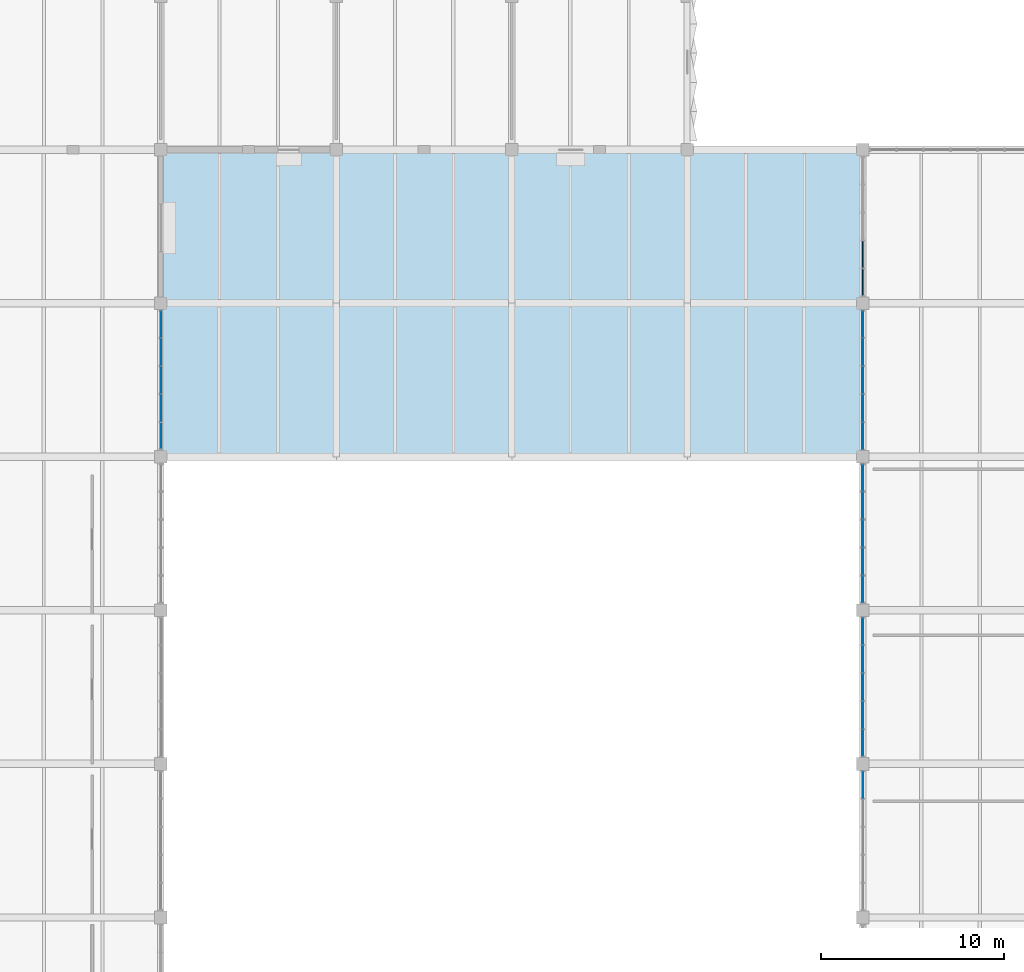
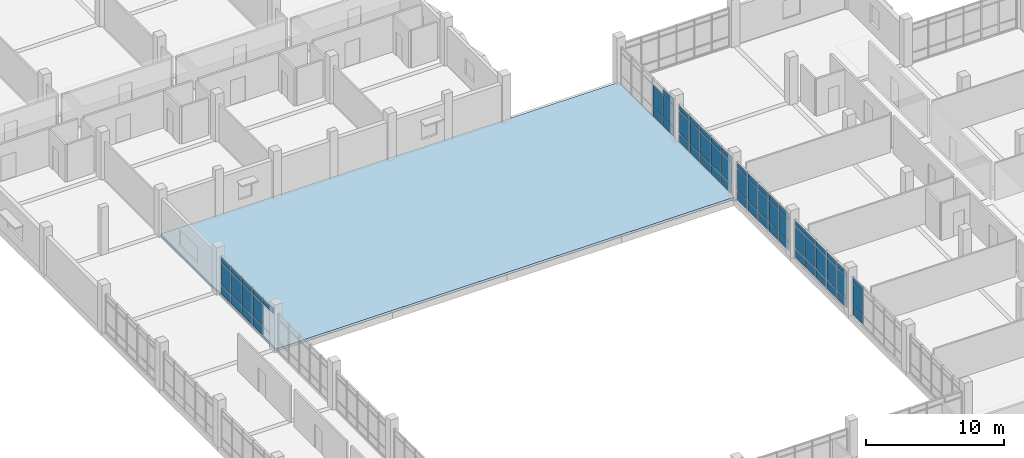
# One storey, part 29 of 57: 66 plates, 1 slab, 7 elements without a shape of their own.
"""IFC4 building model written with IfcOpenShell, lengths in metres."""

import ifcopenshell
import ifcopenshell.guid

model = None  # the IFC model being written
_history = None  # IfcOwnerHistory: only IFC2X3 demands one
_inside = {}  # id of a spatial element -> (the spatial element, [elements in it])
_under = {}  # id of a project, library or spatial element -> (it, [spatial elements below it])
_declared = {}  # id of a project -> (the project, [libraries it declares])
_typed = {}  # id of a type object -> (the type object, [elements of that type])
_made_of = {}  # id of a material, layer set ... -> (it, [elements and type objects made of it])


def new_model(schema):
    """Start an empty IFC model of exactly this schema.

    Asked for "IFC4X3", IfcOpenShell would pick the latest addendum, in which some entities
    have other attributes; the version numbers below select the first issue.
    IFC2X3 requires an IfcOwnerHistory on every rooted entity: one is made here for all.
    """
    global model, _history
    if schema == "IFC4X3":
        model = ifcopenshell.file(schema_version=(4, 3, 0, 0))
    else:
        model = ifcopenshell.file(schema=schema)
    _inside.clear()
    _under.clear()
    _declared.clear()
    _typed.clear()
    _made_of.clear()
    _history = None
    if model.schema == "IFC2X3":
        org = make("IfcOrganization", Name="unknown")
        user = make(
            "IfcPersonAndOrganization",
            ThePerson=make("IfcPerson", FamilyName="unknown"),
            TheOrganization=org,
        )
        app = make(
            "IfcApplication",
            ApplicationDeveloper=org,
            Version="unknown",
            ApplicationFullName="unknown",
            ApplicationIdentifier="unknown",
        )
        _history = make(
            "IfcOwnerHistory",
            OwningUser=user,
            OwningApplication=app,
            ChangeAction="ADDED",
            CreationDate=0,
        )
    return model


def make(cls, **values):
    """One entity of the class cls with the attributes given. An attribute that is None is left unset."""
    return model.create_entity(
        cls, **{name: value for name, value in values.items() if value is not None}
    )


def rooted(cls, **values):
    """An entity with a GlobalId (a new one), such as an element, a storey or a relation."""
    return make(cls, GlobalId=ifcopenshell.guid.new(), OwnerHistory=_history, **values)


def si_unit(unit_type, name, prefix=None):
    """IfcSIUnit, for example si_unit("LENGTHUNIT", "METRE", prefix="MILLI")."""
    return make("IfcSIUnit", UnitType=unit_type, Prefix=prefix, Name=name)


def assignment(units):
    """IfcUnitAssignment: the units of a project."""
    return None if units is None else make("IfcUnitAssignment", Units=units)


def point(xyz):
    """IfcCartesianPoint."""
    return None if xyz is None else make("IfcCartesianPoint", Coordinates=xyz)


def direction(xyz):
    """IfcDirection."""
    return None if xyz is None else make("IfcDirection", DirectionRatios=xyz)


def frame(location, z_axis=None, x_axis=None):
    """IfcAxis2Placement3D, a coordinate frame: its origin and axes. An axis left out is left unset."""
    return make(
        "IfcAxis2Placement3D",
        Location=point(location),
        Axis=direction(z_axis),
        RefDirection=direction(x_axis),
    )


def frame_2d(location, x_axis=None):
    """IfcAxis2Placement2D, a coordinate frame in the plane: its origin and x axis."""
    return make(
        "IfcAxis2Placement2D", Location=point(location), RefDirection=direction(x_axis)
    )


def origin():
    """The frame at (0, 0, 0) with its axes left unset."""
    return frame((0.0, 0.0, 0.0))


def origin_2d():
    """The frame at (0, 0) in the plane with its x axis left unset."""
    return frame_2d((0.0, 0.0))


def place(relative_to, where):
    """IfcLocalPlacement: puts the frame where relative to a parent placement (None: the world)."""
    return make(
        "IfcLocalPlacement", PlacementRelTo=relative_to, RelativePlacement=where
    )


def context(
    kind, dimensions, precision=None, world=None, true_north=None, identifier=None
):
    """IfcGeometricRepresentationContext, for example the 3D "Model" context."""
    return make(
        "IfcGeometricRepresentationContext",
        ContextIdentifier=identifier,
        ContextType=kind,
        CoordinateSpaceDimension=dimensions,
        Precision=precision,
        WorldCoordinateSystem=world,
        TrueNorth=true_north,
    )


def subcontext(parent, identifier, kind, view, scale=None):
    """IfcGeometricRepresentationSubContext, for example "Body" below "Model"."""
    return make(
        "IfcGeometricRepresentationSubContext",
        ContextIdentifier=identifier,
        ContextType=kind,
        ParentContext=parent,
        TargetScale=scale,
        TargetView=view,
    )


def project(units=None, contexts=None):
    """IfcProject with its units and contexts."""
    return rooted(
        "IfcProject",
        Name="project",
        RepresentationContexts=contexts,
        UnitsInContext=assignment(units),
    )


def spatial(cls, under=None, at=None, **own):
    """A site, building, storey or space (cls), placed at a placement, below another one or the project."""
    s = rooted(cls, ObjectPlacement=at, **own)
    if under is not None:
        _under.setdefault(under.id(), (under, []))[1].append(s)
    return s


def polyline(points):
    """IfcPolyline through the points."""
    return make("IfcPolyline", Points=[point(p) for p in points])


def profile(cls, at=None, kind="AREA", **sizes):
    """A parametric profile (cls). Its sizes go by their IFC names, for example OverallWidth=200.0."""
    return make(cls, ProfileType=kind, Position=at, **sizes)


def rectangle(**sizes):
    """IfcRectangleProfileDef."""
    return profile("IfcRectangleProfileDef", **sizes)


def outline(outer, holes=None, kind="AREA"):
    """IfcArbitraryClosedProfileDef: a profile drawn as a closed curve; with holes, ...WithVoids."""
    if holes is None:
        return make("IfcArbitraryClosedProfileDef", ProfileType=kind, OuterCurve=outer)
    return make(
        "IfcArbitraryProfileDefWithVoids",
        ProfileType=kind,
        OuterCurve=outer,
        InnerCurves=holes,
    )


def extrude(swept, where, along, depth):
    """IfcExtrudedAreaSolid: the profile swept, set in the frame where, extruded along a direction by depth."""
    return make(
        "IfcExtrudedAreaSolid",
        SweptArea=swept,
        Position=where,
        ExtrudedDirection=direction(along),
        Depth=depth,
    )


def shape(context_of_items, identifier, shape_type, items):
    """IfcShapeRepresentation: the items that make up one representation, for example the "Body"."""
    return make(
        "IfcShapeRepresentation",
        ContextOfItems=context_of_items,
        RepresentationIdentifier=identifier,
        RepresentationType=shape_type,
        Items=items,
    )


def material(Name=None, Category=None):
    """IfcMaterial."""
    return make("IfcMaterial", Name=Name, Category=Category)


def layer(
    of_material, thickness, ventilated=None, Name=None, Category=None, Priority=None
):
    """IfcMaterialLayer: one layer of a wall or slab, of a material (None: an air gap)."""
    return make(
        "IfcMaterialLayer",
        Material=of_material,
        LayerThickness=thickness,
        IsVentilated=ventilated,
        Name=Name,
        Category=Category,
        Priority=Priority,
    )


def layer_set(layers, Name=None):
    """IfcMaterialLayerSet."""
    return make("IfcMaterialLayerSet", MaterialLayers=layers, LayerSetName=Name)


def made_of(thing, what):
    """Note that an element or type object is made of a material, layer set ...; save() writes the relation."""
    if what is not None:
        _made_of.setdefault(what.id(), (what, []))[1].append(thing)
    return thing


def type_object(cls, material=None, **own):
    """A type object (cls), such as IfcWallType, which elements share."""
    return made_of(rooted(cls, **own), material)


def element(
    cls,
    number,
    at=None,
    inside=None,
    cuts=None,
    type_object=None,
    material=None,
    context=None,
    identifier="Body",
    shape_type=None,
    held_by="IfcProductDefinitionShape",
    body=None,
    shapes=None,
    **own,
):
    """One element of the class cls, such as IfcWall. Its Tag is "e" and its number.

    at: its placement. inside: the storey or other place that contains it. cuts: it is an
    opening in that element (IfcRelVoidsElement). A single representation is given by context,
    identifier, shape_type and body (its items); several are given by shapes. held_by: the class
    of the entity that holds the representations. save() writes the other relations.
    """
    e = rooted(cls, Tag="e%d" % number, ObjectPlacement=at, **own)
    if body is not None:
        shapes = [shape(context, identifier, shape_type, body)]
    if shapes is not None:
        e.Representation = make(held_by, Representations=shapes)
    if inside is not None:
        _inside.setdefault(inside.id(), (inside, []))[1].append(e)
    if cuts is not None:
        rooted(
            "IfcRelVoidsElement", RelatingBuildingElement=cuts, RelatedOpeningElement=e
        )
    if type_object is not None:
        _typed.setdefault(type_object.id(), (type_object, []))[1].append(e)
    return made_of(e, material)


def aggregate(whole, parts):
    """IfcRelAggregates: a whole, such as a stair, and the parts it consists of."""
    return rooted("IfcRelAggregates", RelatingObject=whole, RelatedObjects=parts)


def save(model, path):
    """Write the relations noted so far, then the file.

    IfcRelAggregates (storeys below a building ...), IfcRelContainedInSpatialStructure (elements
    in a storey), IfcRelDefinesByType, IfcRelAssociatesMaterial and IfcRelDeclares: one each for
    every whole, place, type object, material and project.
    """
    for whole, parts in _under.values():
        aggregate(whole, parts)
    for where, things in _inside.values():
        rooted(
            "IfcRelContainedInSpatialStructure",
            RelatedElements=things,
            RelatingStructure=where,
        )
    for kind, things in _typed.values():
        rooted("IfcRelDefinesByType", RelatedObjects=things, RelatingType=kind)
    for what, things in _made_of.values():
        rooted("IfcRelAssociatesMaterial", RelatedObjects=things, RelatingMaterial=what)
    for by, libraries in _declared.values():
        rooted("IfcRelDeclares", RelatingContext=by, RelatedDefinitions=libraries)
    model.write(path)


model = new_model("IFC4")

# Units and contexts
model_context = context("Model", 3, precision=1e-05, world=origin(), true_north=direction((0.0, 1.0)))
body_context = subcontext(model_context, "Body", "Model", "MODEL_VIEW")
ifc_project = project(units=[si_unit("LENGTHUNIT", "METRE"), si_unit("AREAUNIT", "SQUARE_METRE"), si_unit("VOLUMEUNIT", "CUBIC_METRE"), si_unit("PLANEANGLEUNIT", "RADIAN"), si_unit("MASSUNIT", "GRAM", prefix="KILO")], contexts=[model_context])

# Site, building, storey
site_placement = place(None, origin())
site = spatial("IfcSite", under=ifc_project, at=site_placement, CompositionType="ELEMENT")
building_placement = place(site_placement, origin())
building = spatial("IfcBuilding", under=site, at=building_placement, Name="Oolite Switchyard Hospital", CompositionType="ELEMENT")
storey_placement = place(building_placement, frame((0.0, 0.0, 17.800048828125)))
storey = spatial("IfcBuildingStorey", under=building, at=storey_placement, Name="L04", CompositionType="ELEMENT", Elevation=17.800048828125)

# Curtain wall, plates
ifc_material_1 = material(Name="Thermally broken aluminum frame with laminated impact glazing", Category="aluminium")
curtain_wall_type = type_object("IfcCurtainWallType", Name="CW-UNIT-84X42", PredefinedType="USERDEFINED", material=ifc_material_1)
curtain_wall_1_placement = place(storey_placement, origin())
curtain_wall_1 = element("IfcCurtainWall", 1, at=curtain_wall_1_placement, inside=storey, type_object=curtain_wall_type, Name="L04 Unitised Curtain Wall 378", ObjectType="UNITISED", PredefinedType="USERDEFINED")
ifc_material_2 = material(Name="Insulated fluoropolymer-coated aluminum spandrel panel", Category="aluminium")
ifc_layer_1 = layer(ifc_material_2, 0.070068359375)
ifc_layer_set_1 = layer_set([ifc_layer_1], Name="CW-PNL-SPN70")
plate_type_1 = type_object("IfcPlateType", Name="CW-PNL-SPN70", PredefinedType="CURTAIN_PANEL", material=ifc_layer_set_1)
plate_1_placement = place(storey_placement, frame((182.39990234375, 68.349609375, 0.06005859375), z_axis=(0.0, 0.0, 1.0), x_axis=(0.0, 1.0, 0.0)))
plate_1 = element("IfcPlate", 2, at=plate_1_placement, type_object=plate_type_1, Name="CW-10 panel 1.1", PredefinedType="CURTAIN_PANEL", context=body_context, shape_type="SweptSolid", body=[
    extrude(rectangle(XDim=1.428955078125, YDim=0.070068359375, at=origin_2d()), origin(), (0.0, 0.0, 1.0), 0.760009765625),
])
plate_2_placement = place(storey_placement, frame((182.39990234375, 68.349609375, 0.8798828125), z_axis=(0.0, 0.0, 1.0), x_axis=(0.0, 1.0, 0.0)))
plate_2 = element("IfcPlate", 3, at=plate_2_placement, type_object=plate_type_1, Name="CW-10 panel 1.2", PredefinedType="CURTAIN_PANEL", context=body_context, shape_type="SweptSolid", body=[
    extrude(rectangle(XDim=1.428955078125, YDim=0.070068359375, at=origin_2d()), origin(), (0.0, 0.0, 1.0), 1.929931640625),
])
plate_3_placement = place(storey_placement, frame((182.39990234375, 68.349609375, 2.869873046875), z_axis=(0.0, 0.0, 1.0), x_axis=(0.0, 1.0, 0.0)))
plate_3 = element("IfcPlate", 4, at=plate_3_placement, type_object=plate_type_1, Name="CW-10 panel 1.3", PredefinedType="CURTAIN_PANEL", context=body_context, shape_type="SweptSolid", body=[
    extrude(rectangle(XDim=1.428955078125, YDim=0.070068359375, at=origin_2d()), origin(), (0.0, 0.0, 1.0), 0.4599609375),
])
plate_4_placement = place(storey_placement, frame((182.39990234375, 69.865966796875, 0.06005859375), z_axis=(0.0, 0.0, 1.0), x_axis=(0.0, 1.0, 0.0)))
plate_4 = element("IfcPlate", 5, at=plate_4_placement, type_object=plate_type_1, Name="CW-10 panel 2.1", PredefinedType="CURTAIN_PANEL", context=body_context, shape_type="SweptSolid", body=[
    extrude(rectangle(XDim=1.464111328125, YDim=0.070068359375, at=origin_2d()), origin(), (0.0, 0.0, 1.0), 0.760009765625),
])
plate_5_placement = place(storey_placement, frame((182.39990234375, 69.865966796875, 0.8798828125), z_axis=(0.0, 0.0, 1.0), x_axis=(0.0, 1.0, 0.0)))
plate_5 = element("IfcPlate", 6, at=plate_5_placement, type_object=plate_type_1, Name="CW-10 panel 2.2", PredefinedType="CURTAIN_PANEL", context=body_context, shape_type="SweptSolid", body=[
    extrude(rectangle(XDim=1.464111328125, YDim=0.070068359375, at=origin_2d()), origin(), (0.0, 0.0, 1.0), 1.929931640625),
])
aggregate(curtain_wall_1, [plate_1, plate_2, plate_3, plate_4, plate_5])

curtain_wall_2_placement = place(storey_placement, origin())
curtain_wall_2 = element("IfcCurtainWall", 7, at=curtain_wall_2_placement, inside=storey, type_object=curtain_wall_type, Name="L04 Unitised Curtain Wall 369", ObjectType="UNITISED", PredefinedType="USERDEFINED")
ifc_material_3 = material(Name="Laminated hurricane-impact insulated glazing unit", Category="glass")
ifc_layer_2 = layer(ifc_material_3, 0.028076171875)
ifc_layer_set_2 = layer_set([ifc_layer_2], Name="CW-PNL-VIS28")
plate_type_2 = type_object("IfcPlateType", Name="CW-PNL-VIS28", PredefinedType="CURTAIN_PANEL", material=ifc_layer_set_2)
plate_6_placement = place(storey_placement, frame((144.0, 66.050537109375, 0.07470703125), z_axis=(0.0, 0.0, 1.0), x_axis=(0.0, -1.0, 0.0)))
plate_6 = element("IfcPlate", 8, at=plate_6_placement, type_object=plate_type_2, Name="CW-10 panel 1.1", PredefinedType="CURTAIN_PANEL", context=body_context, shape_type="SweptSolid", body=[
    extrude(rectangle(XDim=1.428955078125, YDim=0.028076171875, at=origin_2d()), origin(), (0.0, 0.0, 1.0), 0.737548828125),
])
plate_7_placement = place(storey_placement, frame((144.0, 66.050537109375, 0.887451171875), z_axis=(0.0, 0.0, 1.0), x_axis=(0.0, -1.0, 0.0)))
plate_7 = element("IfcPlate", 9, at=plate_7_placement, type_object=plate_type_2, Name="CW-10 panel 1.2", PredefinedType="CURTAIN_PANEL", context=body_context, shape_type="SweptSolid", body=[
    extrude(rectangle(XDim=1.428955078125, YDim=0.028076171875, at=origin_2d()), origin(), (0.0, 0.0, 1.0), 1.9150390625),
])
plate_8_placement = place(storey_placement, frame((144.0, 66.050537109375, 2.87744140625), z_axis=(0.0, 0.0, 1.0), x_axis=(0.0, -1.0, 0.0)))
plate_8 = element("IfcPlate", 10, at=plate_8_placement, type_object=plate_type_2, Name="CW-10 panel 1.3", PredefinedType="CURTAIN_PANEL", context=body_context, shape_type="SweptSolid", body=[
    extrude(rectangle(XDim=1.428955078125, YDim=0.028076171875, at=origin_2d()), origin(), (0.0, 0.0, 1.0), 0.4375),
])
plate_9_placement = place(storey_placement, frame((144.0, 64.533935546875, 0.07470703125), z_axis=(0.0, 0.0, 1.0), x_axis=(0.0, -1.0, 0.0)))
plate_9 = element("IfcPlate", 11, at=plate_9_placement, type_object=plate_type_2, Name="CW-10 panel 2.1", PredefinedType="CURTAIN_PANEL", context=body_context, shape_type="SweptSolid", body=[
    extrude(rectangle(XDim=1.464111328125, YDim=0.028076171875, at=origin_2d()), origin(), (0.0, 0.0, 1.0), 0.737548828125),
])
plate_10_placement = place(storey_placement, frame((144.0, 64.533935546875, 0.887451171875), z_axis=(0.0, 0.0, 1.0), x_axis=(0.0, -1.0, 0.0)))
plate_10 = element("IfcPlate", 12, at=plate_10_placement, type_object=plate_type_2, Name="CW-10 panel 2.2", PredefinedType="CURTAIN_PANEL", context=body_context, shape_type="SweptSolid", body=[
    extrude(rectangle(XDim=1.464111328125, YDim=0.028076171875, at=origin_2d()), origin(), (0.0, 0.0, 1.0), 1.9150390625),
])
plate_11_placement = place(storey_placement, frame((144.0, 64.533935546875, 2.87744140625), z_axis=(0.0, 0.0, 1.0), x_axis=(0.0, -1.0, 0.0)))
plate_11 = element("IfcPlate", 13, at=plate_11_placement, type_object=plate_type_2, Name="CW-10 panel 2.3", PredefinedType="CURTAIN_PANEL", context=body_context, shape_type="SweptSolid", body=[
    extrude(rectangle(XDim=1.464111328125, YDim=0.028076171875, at=origin_2d()), origin(), (0.0, 0.0, 1.0), 0.4375),
])
plate_12_placement = place(storey_placement, frame((144.0, 63.0, 0.07470703125), z_axis=(0.0, 0.0, 1.0), x_axis=(0.0, -1.0, 0.0)))
plate_12 = element("IfcPlate", 14, at=plate_12_placement, type_object=plate_type_2, Name="CW-10 panel 3.1", PredefinedType="CURTAIN_PANEL", context=body_context, shape_type="SweptSolid", body=[
    extrude(rectangle(XDim=1.464111328125, YDim=0.028076171875, at=origin_2d()), origin(), (0.0, 0.0, 1.0), 0.737548828125),
])
plate_13_placement = place(storey_placement, frame((144.0, 63.0, 0.887451171875), z_axis=(0.0, 0.0, 1.0), x_axis=(0.0, -1.0, 0.0)))
plate_13 = element("IfcPlate", 15, at=plate_13_placement, type_object=plate_type_2, Name="CW-10 panel 3.2", PredefinedType="CURTAIN_PANEL", context=body_context, shape_type="SweptSolid", body=[
    extrude(rectangle(XDim=1.464111328125, YDim=0.028076171875, at=origin_2d()), origin(), (0.0, 0.0, 1.0), 1.9150390625),
])
plate_14_placement = place(storey_placement, frame((144.0, 63.0, 2.87744140625), z_axis=(0.0, 0.0, 1.0), x_axis=(0.0, -1.0, 0.0)))
plate_14 = element("IfcPlate", 16, at=plate_14_placement, type_object=plate_type_2, Name="CW-10 panel 3.3", PredefinedType="CURTAIN_PANEL", context=body_context, shape_type="SweptSolid", body=[
    extrude(rectangle(XDim=1.464111328125, YDim=0.028076171875, at=origin_2d()), origin(), (0.0, 0.0, 1.0), 0.4375),
])
plate_15_placement = place(storey_placement, frame((144.0, 61.466064453125, 0.07470703125), z_axis=(0.0, 0.0, 1.0), x_axis=(0.0, -1.0, 0.0)))
plate_15 = element("IfcPlate", 17, at=plate_15_placement, type_object=plate_type_2, Name="CW-10 panel 4.1", PredefinedType="CURTAIN_PANEL", context=body_context, shape_type="SweptSolid", body=[
    extrude(rectangle(XDim=1.464111328125, YDim=0.028076171875, at=origin_2d()), origin(), (0.0, 0.0, 1.0), 0.737548828125),
])
plate_16_placement = place(storey_placement, frame((144.0, 61.466064453125, 0.887451171875), z_axis=(0.0, 0.0, 1.0), x_axis=(0.0, -1.0, 0.0)))
plate_16 = element("IfcPlate", 18, at=plate_16_placement, type_object=plate_type_2, Name="CW-10 panel 4.2", PredefinedType="CURTAIN_PANEL", context=body_context, shape_type="SweptSolid", body=[
    extrude(rectangle(XDim=1.464111328125, YDim=0.028076171875, at=origin_2d()), origin(), (0.0, 0.0, 1.0), 1.9150390625),
])
plate_17_placement = place(storey_placement, frame((144.0, 61.466064453125, 2.87744140625), z_axis=(0.0, 0.0, 1.0), x_axis=(0.0, -1.0, 0.0)))
plate_17 = element("IfcPlate", 19, at=plate_17_placement, type_object=plate_type_2, Name="CW-10 panel 4.3", PredefinedType="CURTAIN_PANEL", context=body_context, shape_type="SweptSolid", body=[
    extrude(rectangle(XDim=1.464111328125, YDim=0.028076171875, at=origin_2d()), origin(), (0.0, 0.0, 1.0), 0.4375),
])
plate_18_placement = place(storey_placement, frame((144.0, 59.949462890625, 2.87744140625), z_axis=(0.0, 0.0, 1.0), x_axis=(0.0, -1.0, 0.0)))
plate_18 = element("IfcPlate", 20, at=plate_18_placement, type_object=plate_type_2, Name="CW-10 panel 5.3", PredefinedType="CURTAIN_PANEL", context=body_context, shape_type="SweptSolid", body=[
    extrude(rectangle(XDim=1.428955078125, YDim=0.028076171875, at=origin_2d()), origin(), (0.0, 0.0, 1.0), 0.4375),
])
aggregate(curtain_wall_2, [plate_6, plate_7, plate_8, plate_9, plate_10, plate_11, plate_12, plate_13, plate_14, plate_15, plate_16, plate_17, plate_18])

curtain_wall_3_placement = place(storey_placement, origin())
curtain_wall_3 = element("IfcCurtainWall", 21, at=curtain_wall_3_placement, inside=storey, type_object=curtain_wall_type, Name="L04 Unitised Curtain Wall 374", ObjectType="UNITISED", PredefinedType="USERDEFINED")
plate_19_placement = place(storey_placement, frame((182.39990234375, 40.85302734375, 0.06005859375), z_axis=(0.0, 0.0, 1.0), x_axis=(0.0, 1.0, 0.0)))
plate_19 = element("IfcPlate", 22, at=plate_19_placement, type_object=plate_type_2, Name="CW-10 panel 5.1", PredefinedType="CURTAIN_PANEL", context=body_context, shape_type="SweptSolid", body=[
    extrude(rectangle(XDim=1.444091796875, YDim=0.028076171875, at=origin_2d()), origin(), (0.0, 0.0, 1.0), 0.760009765625),
])
plate_20_placement = place(storey_placement, frame((182.39990234375, 40.85302734375, 0.8798828125), z_axis=(0.0, 0.0, 1.0), x_axis=(0.0, 1.0, 0.0)))
plate_20 = element("IfcPlate", 23, at=plate_20_placement, type_object=plate_type_2, Name="CW-10 panel 5.2", PredefinedType="CURTAIN_PANEL", context=body_context, shape_type="SweptSolid", body=[
    extrude(rectangle(XDim=1.444091796875, YDim=0.028076171875, at=origin_2d()), origin(), (0.0, 0.0, 1.0), 1.929931640625),
])
plate_21_placement = place(storey_placement, frame((182.39990234375, 40.85302734375, 2.869873046875), z_axis=(0.0, 0.0, 1.0), x_axis=(0.0, 1.0, 0.0)))
plate_21 = element("IfcPlate", 24, at=plate_21_placement, type_object=plate_type_2, Name="CW-10 panel 5.3", PredefinedType="CURTAIN_PANEL", context=body_context, shape_type="SweptSolid", body=[
    extrude(rectangle(XDim=1.444091796875, YDim=0.028076171875, at=origin_2d()), origin(), (0.0, 0.0, 1.0), 0.4599609375),
])
aggregate(curtain_wall_3, [plate_19, plate_20, plate_21])

curtain_wall_4_placement = place(storey_placement, origin())
curtain_wall_4 = element("IfcCurtainWall", 25, at=curtain_wall_4_placement, inside=storey, type_object=curtain_wall_type, Name="L04 Unitised Curtain Wall 375", ObjectType="UNITISED", PredefinedType="USERDEFINED")
ifc_layer_3 = layer(ifc_material_3, 0.031982421875)
ifc_layer_set_3 = layer_set([ifc_layer_3], Name="CW-PNL-VIS32")
plate_type_3 = type_object("IfcPlateType", Name="CW-PNL-VIS32", PredefinedType="CURTAIN_PANEL", material=ifc_layer_set_3)
plate_22_placement = place(storey_placement, frame((182.39990234375, 43.1494140625, 0.07470703125), z_axis=(0.0, 0.0, 1.0), x_axis=(0.0, 1.0, 0.0)))
plate_22 = element("IfcPlate", 26, at=plate_22_placement, type_object=plate_type_3, Name="CW-10 panel 1.1", PredefinedType="CURTAIN_PANEL", context=body_context, shape_type="SweptSolid", body=[
    extrude(rectangle(XDim=1.428955078125, YDim=0.031982421875, at=origin_2d()), origin(), (0.0, 0.0, 1.0), 0.737548828125),
])
plate_23_placement = place(storey_placement, frame((182.39990234375, 43.1494140625, 0.887451171875), z_axis=(0.0, 0.0, 1.0), x_axis=(0.0, 1.0, 0.0)))
plate_23 = element("IfcPlate", 27, at=plate_23_placement, type_object=plate_type_3, Name="CW-10 panel 1.2", PredefinedType="CURTAIN_PANEL", context=body_context, shape_type="SweptSolid", body=[
    extrude(rectangle(XDim=1.428955078125, YDim=0.031982421875, at=origin_2d()), origin(), (0.0, 0.0, 1.0), 1.9150390625),
])
plate_24_placement = place(storey_placement, frame((182.39990234375, 43.1494140625, 2.87744140625), z_axis=(0.0, 0.0, 1.0), x_axis=(0.0, 1.0, 0.0)))
plate_24 = element("IfcPlate", 28, at=plate_24_placement, type_object=plate_type_3, Name="CW-10 panel 1.3", PredefinedType="CURTAIN_PANEL", context=body_context, shape_type="SweptSolid", body=[
    extrude(rectangle(XDim=1.428955078125, YDim=0.031982421875, at=origin_2d()), origin(), (0.0, 0.0, 1.0), 0.4375),
])
plate_25_placement = place(storey_placement, frame((182.39990234375, 44.666015625, 0.07470703125), z_axis=(0.0, 0.0, 1.0), x_axis=(0.0, 1.0, 0.0)))
plate_25 = element("IfcPlate", 29, at=plate_25_placement, type_object=plate_type_3, Name="CW-10 panel 2.1", PredefinedType="CURTAIN_PANEL", context=body_context, shape_type="SweptSolid", body=[
    extrude(rectangle(XDim=1.464111328125, YDim=0.031982421875, at=origin_2d()), origin(), (0.0, 0.0, 1.0), 0.737548828125),
])
plate_26_placement = place(storey_placement, frame((182.39990234375, 44.666015625, 0.887451171875), z_axis=(0.0, 0.0, 1.0), x_axis=(0.0, 1.0, 0.0)))
plate_26 = element("IfcPlate", 30, at=plate_26_placement, type_object=plate_type_3, Name="CW-10 panel 2.2", PredefinedType="CURTAIN_PANEL", context=body_context, shape_type="SweptSolid", body=[
    extrude(rectangle(XDim=1.464111328125, YDim=0.031982421875, at=origin_2d()), origin(), (0.0, 0.0, 1.0), 1.9150390625),
])
plate_27_placement = place(storey_placement, frame((182.39990234375, 44.666015625, 2.87744140625), z_axis=(0.0, 0.0, 1.0), x_axis=(0.0, 1.0, 0.0)))
plate_27 = element("IfcPlate", 31, at=plate_27_placement, type_object=plate_type_3, Name="CW-10 panel 2.3", PredefinedType="CURTAIN_PANEL", context=body_context, shape_type="SweptSolid", body=[
    extrude(rectangle(XDim=1.464111328125, YDim=0.031982421875, at=origin_2d()), origin(), (0.0, 0.0, 1.0), 0.4375),
])
plate_28_placement = place(storey_placement, frame((182.39990234375, 46.199951171875, 0.07470703125), z_axis=(0.0, 0.0, 1.0), x_axis=(0.0, 1.0, 0.0)))
plate_28 = element("IfcPlate", 32, at=plate_28_placement, type_object=plate_type_3, Name="CW-10 panel 3.1", PredefinedType="CURTAIN_PANEL", context=body_context, shape_type="SweptSolid", body=[
    extrude(rectangle(XDim=1.464111328125, YDim=0.031982421875, at=origin_2d()), origin(), (0.0, 0.0, 1.0), 0.737548828125),
])
plate_29_placement = place(storey_placement, frame((182.39990234375, 46.199951171875, 0.887451171875), z_axis=(0.0, 0.0, 1.0), x_axis=(0.0, 1.0, 0.0)))
plate_29 = element("IfcPlate", 33, at=plate_29_placement, type_object=plate_type_3, Name="CW-10 panel 3.2", PredefinedType="CURTAIN_PANEL", context=body_context, shape_type="SweptSolid", body=[
    extrude(rectangle(XDim=1.464111328125, YDim=0.031982421875, at=origin_2d()), origin(), (0.0, 0.0, 1.0), 1.9150390625),
])
plate_30_placement = place(storey_placement, frame((182.39990234375, 46.199951171875, 2.87744140625), z_axis=(0.0, 0.0, 1.0), x_axis=(0.0, 1.0, 0.0)))
plate_30 = element("IfcPlate", 34, at=plate_30_placement, type_object=plate_type_3, Name="CW-10 panel 3.3", PredefinedType="CURTAIN_PANEL", context=body_context, shape_type="SweptSolid", body=[
    extrude(rectangle(XDim=1.464111328125, YDim=0.031982421875, at=origin_2d()), origin(), (0.0, 0.0, 1.0), 0.4375),
])
plate_31_placement = place(storey_placement, frame((182.39990234375, 47.73388671875, 0.07470703125), z_axis=(0.0, 0.0, 1.0), x_axis=(0.0, 1.0, 0.0)))
plate_31 = element("IfcPlate", 35, at=plate_31_placement, type_object=plate_type_3, Name="CW-10 panel 4.1", PredefinedType="CURTAIN_PANEL", context=body_context, shape_type="SweptSolid", body=[
    extrude(rectangle(XDim=1.464111328125, YDim=0.031982421875, at=origin_2d()), origin(), (0.0, 0.0, 1.0), 0.737548828125),
])
plate_32_placement = place(storey_placement, frame((182.39990234375, 47.73388671875, 0.887451171875), z_axis=(0.0, 0.0, 1.0), x_axis=(0.0, 1.0, 0.0)))
plate_32 = element("IfcPlate", 36, at=plate_32_placement, type_object=plate_type_3, Name="CW-10 panel 4.2", PredefinedType="CURTAIN_PANEL", context=body_context, shape_type="SweptSolid", body=[
    extrude(rectangle(XDim=1.464111328125, YDim=0.031982421875, at=origin_2d()), origin(), (0.0, 0.0, 1.0), 1.9150390625),
])
plate_33_placement = place(storey_placement, frame((182.39990234375, 47.73388671875, 2.87744140625), z_axis=(0.0, 0.0, 1.0), x_axis=(0.0, 1.0, 0.0)))
plate_33 = element("IfcPlate", 37, at=plate_33_placement, type_object=plate_type_3, Name="CW-10 panel 4.3", PredefinedType="CURTAIN_PANEL", context=body_context, shape_type="SweptSolid", body=[
    extrude(rectangle(XDim=1.464111328125, YDim=0.031982421875, at=origin_2d()), origin(), (0.0, 0.0, 1.0), 0.4375),
])
plate_34_placement = place(storey_placement, frame((182.39990234375, 49.25048828125, 0.07470703125), z_axis=(0.0, 0.0, 1.0), x_axis=(0.0, 1.0, 0.0)))
plate_34 = element("IfcPlate", 38, at=plate_34_placement, type_object=plate_type_3, Name="CW-10 panel 5.1", PredefinedType="CURTAIN_PANEL", context=body_context, shape_type="SweptSolid", body=[
    extrude(rectangle(XDim=1.428955078125, YDim=0.031982421875, at=origin_2d()), origin(), (0.0, 0.0, 1.0), 0.737548828125),
])
plate_35_placement = place(storey_placement, frame((182.39990234375, 49.25048828125, 0.887451171875), z_axis=(0.0, 0.0, 1.0), x_axis=(0.0, 1.0, 0.0)))
plate_35 = element("IfcPlate", 39, at=plate_35_placement, type_object=plate_type_3, Name="CW-10 panel 5.2", PredefinedType="CURTAIN_PANEL", context=body_context, shape_type="SweptSolid", body=[
    extrude(rectangle(XDim=1.428955078125, YDim=0.031982421875, at=origin_2d()), origin(), (0.0, 0.0, 1.0), 1.9150390625),
])
plate_36_placement = place(storey_placement, frame((182.39990234375, 49.25048828125, 2.87744140625), z_axis=(0.0, 0.0, 1.0), x_axis=(0.0, 1.0, 0.0)))
plate_36 = element("IfcPlate", 40, at=plate_36_placement, type_object=plate_type_3, Name="CW-10 panel 5.3", PredefinedType="CURTAIN_PANEL", context=body_context, shape_type="SweptSolid", body=[
    extrude(rectangle(XDim=1.428955078125, YDim=0.031982421875, at=origin_2d()), origin(), (0.0, 0.0, 1.0), 0.4375),
])
aggregate(curtain_wall_4, [plate_22, plate_23, plate_24, plate_25, plate_26, plate_27, plate_28, plate_29, plate_30, plate_31, plate_32, plate_33, plate_34, plate_35, plate_36])

curtain_wall_5_placement = place(storey_placement, origin())
curtain_wall_5 = element("IfcCurtainWall", 41, at=curtain_wall_5_placement, inside=storey, type_object=curtain_wall_type, Name="L04 Unitised Curtain Wall 376", ObjectType="UNITISED", PredefinedType="USERDEFINED")
ifc_layer_4 = layer(ifc_material_3, 0.035888671875)
ifc_layer_set_4 = layer_set([ifc_layer_4], Name="CW-PNL-VIS36")
plate_type_4 = type_object("IfcPlateType", Name="CW-PNL-VIS36", PredefinedType="CURTAIN_PANEL", material=ifc_layer_set_4)
plate_37_placement = place(storey_placement, frame((182.39990234375, 51.55078125, 0.06005859375), z_axis=(0.0, 0.0, 1.0), x_axis=(0.0, 1.0, 0.0)))
plate_37 = element("IfcPlate", 42, at=plate_37_placement, type_object=plate_type_4, Name="CW-10 panel 1.1", PredefinedType="CURTAIN_PANEL", context=body_context, shape_type="SweptSolid", body=[
    extrude(rectangle(XDim=1.42138671875, YDim=0.035888671875, at=origin_2d()), origin(), (0.0, 0.0, 1.0), 0.760009765625),
])
plate_38_placement = place(storey_placement, frame((182.39990234375, 51.55078125, 0.8798828125), z_axis=(0.0, 0.0, 1.0), x_axis=(0.0, 1.0, 0.0)))
plate_38 = element("IfcPlate", 43, at=plate_38_placement, type_object=plate_type_4, Name="CW-10 panel 1.2", PredefinedType="CURTAIN_PANEL", context=body_context, shape_type="SweptSolid", body=[
    extrude(rectangle(XDim=1.42138671875, YDim=0.035888671875, at=origin_2d()), origin(), (0.0, 0.0, 1.0), 1.929931640625),
])
plate_39_placement = place(storey_placement, frame((182.39990234375, 51.55078125, 2.869873046875), z_axis=(0.0, 0.0, 1.0), x_axis=(0.0, 1.0, 0.0)))
plate_39 = element("IfcPlate", 44, at=plate_39_placement, type_object=plate_type_4, Name="CW-10 panel 1.3", PredefinedType="CURTAIN_PANEL", context=body_context, shape_type="SweptSolid", body=[
    extrude(rectangle(XDim=1.42138671875, YDim=0.035888671875, at=origin_2d()), origin(), (0.0, 0.0, 1.0), 0.4599609375),
])
plate_40_placement = place(storey_placement, frame((182.39990234375, 53.06591796875, 0.06005859375), z_axis=(0.0, 0.0, 1.0), x_axis=(0.0, 1.0, 0.0)))
plate_40 = element("IfcPlate", 45, at=plate_40_placement, type_object=plate_type_4, Name="CW-10 panel 2.1", PredefinedType="CURTAIN_PANEL", context=body_context, shape_type="SweptSolid", body=[
    extrude(rectangle(XDim=1.458984375, YDim=0.035888671875, at=origin_2d()), origin(), (0.0, 0.0, 1.0), 0.760009765625),
])
plate_41_placement = place(storey_placement, frame((182.39990234375, 53.06591796875, 0.8798828125), z_axis=(0.0, 0.0, 1.0), x_axis=(0.0, 1.0, 0.0)))
plate_41 = element("IfcPlate", 46, at=plate_41_placement, type_object=plate_type_4, Name="CW-10 panel 2.2", PredefinedType="CURTAIN_PANEL", context=body_context, shape_type="SweptSolid", body=[
    extrude(rectangle(XDim=1.458984375, YDim=0.035888671875, at=origin_2d()), origin(), (0.0, 0.0, 1.0), 1.929931640625),
])
plate_42_placement = place(storey_placement, frame((182.39990234375, 53.06591796875, 2.869873046875), z_axis=(0.0, 0.0, 1.0), x_axis=(0.0, 1.0, 0.0)))
plate_42 = element("IfcPlate", 47, at=plate_42_placement, type_object=plate_type_4, Name="CW-10 panel 2.3", PredefinedType="CURTAIN_PANEL", context=body_context, shape_type="SweptSolid", body=[
    extrude(rectangle(XDim=1.458984375, YDim=0.035888671875, at=origin_2d()), origin(), (0.0, 0.0, 1.0), 0.4599609375),
])
plate_43_placement = place(storey_placement, frame((182.39990234375, 54.60009765625, 0.06005859375), z_axis=(0.0, 0.0, 1.0), x_axis=(0.0, 1.0, 0.0)))
plate_43 = element("IfcPlate", 48, at=plate_43_placement, type_object=plate_type_4, Name="CW-10 panel 3.1", PredefinedType="CURTAIN_PANEL", context=body_context, shape_type="SweptSolid", body=[
    extrude(rectangle(XDim=1.458984375, YDim=0.035888671875, at=origin_2d()), origin(), (0.0, 0.0, 1.0), 0.760009765625),
])
plate_44_placement = place(storey_placement, frame((182.39990234375, 54.60009765625, 0.8798828125), z_axis=(0.0, 0.0, 1.0), x_axis=(0.0, 1.0, 0.0)))
plate_44 = element("IfcPlate", 49, at=plate_44_placement, type_object=plate_type_4, Name="CW-10 panel 3.2", PredefinedType="CURTAIN_PANEL", context=body_context, shape_type="SweptSolid", body=[
    extrude(rectangle(XDim=1.458984375, YDim=0.035888671875, at=origin_2d()), origin(), (0.0, 0.0, 1.0), 1.929931640625),
])
plate_45_placement = place(storey_placement, frame((182.39990234375, 54.60009765625, 2.869873046875), z_axis=(0.0, 0.0, 1.0), x_axis=(0.0, 1.0, 0.0)))
plate_45 = element("IfcPlate", 50, at=plate_45_placement, type_object=plate_type_4, Name="CW-10 panel 3.3", PredefinedType="CURTAIN_PANEL", context=body_context, shape_type="SweptSolid", body=[
    extrude(rectangle(XDim=1.458984375, YDim=0.035888671875, at=origin_2d()), origin(), (0.0, 0.0, 1.0), 0.4599609375),
])
plate_46_placement = place(storey_placement, frame((182.39990234375, 56.134033203125, 0.06005859375), z_axis=(0.0, 0.0, 1.0), x_axis=(0.0, 1.0, 0.0)))
plate_46 = element("IfcPlate", 51, at=plate_46_placement, type_object=plate_type_4, Name="CW-10 panel 4.1", PredefinedType="CURTAIN_PANEL", context=body_context, shape_type="SweptSolid", body=[
    extrude(rectangle(XDim=1.458984375, YDim=0.035888671875, at=origin_2d()), origin(), (0.0, 0.0, 1.0), 0.760009765625),
])
plate_47_placement = place(storey_placement, frame((182.39990234375, 56.134033203125, 0.8798828125), z_axis=(0.0, 0.0, 1.0), x_axis=(0.0, 1.0, 0.0)))
plate_47 = element("IfcPlate", 52, at=plate_47_placement, type_object=plate_type_4, Name="CW-10 panel 4.2", PredefinedType="CURTAIN_PANEL", context=body_context, shape_type="SweptSolid", body=[
    extrude(rectangle(XDim=1.458984375, YDim=0.035888671875, at=origin_2d()), origin(), (0.0, 0.0, 1.0), 1.929931640625),
])
plate_48_placement = place(storey_placement, frame((182.39990234375, 56.134033203125, 2.869873046875), z_axis=(0.0, 0.0, 1.0), x_axis=(0.0, 1.0, 0.0)))
plate_48 = element("IfcPlate", 53, at=plate_48_placement, type_object=plate_type_4, Name="CW-10 panel 4.3", PredefinedType="CURTAIN_PANEL", context=body_context, shape_type="SweptSolid", body=[
    extrude(rectangle(XDim=1.458984375, YDim=0.035888671875, at=origin_2d()), origin(), (0.0, 0.0, 1.0), 0.4599609375),
])
plate_49_placement = place(storey_placement, frame((182.39990234375, 57.649169921875, 0.06005859375), z_axis=(0.0, 0.0, 1.0), x_axis=(0.0, 1.0, 0.0)))
plate_49 = element("IfcPlate", 54, at=plate_49_placement, type_object=plate_type_4, Name="CW-10 panel 5.1", PredefinedType="CURTAIN_PANEL", context=body_context, shape_type="SweptSolid", body=[
    extrude(rectangle(XDim=1.42138671875, YDim=0.035888671875, at=origin_2d()), origin(), (0.0, 0.0, 1.0), 0.760009765625),
])
plate_50_placement = place(storey_placement, frame((182.39990234375, 57.649169921875, 0.8798828125), z_axis=(0.0, 0.0, 1.0), x_axis=(0.0, 1.0, 0.0)))
plate_50 = element("IfcPlate", 55, at=plate_50_placement, type_object=plate_type_4, Name="CW-10 panel 5.2", PredefinedType="CURTAIN_PANEL", context=body_context, shape_type="SweptSolid", body=[
    extrude(rectangle(XDim=1.42138671875, YDim=0.035888671875, at=origin_2d()), origin(), (0.0, 0.0, 1.0), 1.929931640625),
])
plate_51_placement = place(storey_placement, frame((182.39990234375, 57.649169921875, 2.869873046875), z_axis=(0.0, 0.0, 1.0), x_axis=(0.0, 1.0, 0.0)))
plate_51 = element("IfcPlate", 56, at=plate_51_placement, type_object=plate_type_4, Name="CW-10 panel 5.3", PredefinedType="CURTAIN_PANEL", context=body_context, shape_type="SweptSolid", body=[
    extrude(rectangle(XDim=1.42138671875, YDim=0.035888671875, at=origin_2d()), origin(), (0.0, 0.0, 1.0), 0.4599609375),
])
aggregate(curtain_wall_5, [plate_37, plate_38, plate_39, plate_40, plate_41, plate_42, plate_43, plate_44, plate_45, plate_46, plate_47, plate_48, plate_49, plate_50, plate_51])

curtain_wall_6_placement = place(storey_placement, origin())
curtain_wall_6 = element("IfcCurtainWall", 57, at=curtain_wall_6_placement, inside=storey, type_object=curtain_wall_type, Name="L04 Unitised Curtain Wall 377", ObjectType="UNITISED", PredefinedType="USERDEFINED")
ifc_layer_5 = layer(ifc_material_3, 0.0419921875)
ifc_layer_set_5 = layer_set([ifc_layer_5], Name="CW-PNL-VIS42")
plate_type_5 = type_object("IfcPlateType", Name="CW-PNL-VIS42", PredefinedType="CURTAIN_PANEL", material=ifc_layer_set_5)
plate_52_placement = place(storey_placement, frame((182.39990234375, 59.947021484375, 0.07470703125), z_axis=(0.0, 0.0, 1.0), x_axis=(0.0, 1.0, 0.0)))
plate_52 = element("IfcPlate", 58, at=plate_52_placement, type_object=plate_type_5, Name="CW-10 panel 1.1", PredefinedType="CURTAIN_PANEL", context=body_context, shape_type="SweptSolid", body=[
    extrude(rectangle(XDim=1.444091796875, YDim=0.0419921875, at=origin_2d()), origin(), (0.0, 0.0, 1.0), 0.737548828125),
])
plate_53_placement = place(storey_placement, frame((182.39990234375, 59.947021484375, 0.887451171875), z_axis=(0.0, 0.0, 1.0), x_axis=(0.0, 1.0, 0.0)))
plate_53 = element("IfcPlate", 59, at=plate_53_placement, type_object=plate_type_5, Name="CW-10 panel 1.2", PredefinedType="CURTAIN_PANEL", context=body_context, shape_type="SweptSolid", body=[
    extrude(rectangle(XDim=1.444091796875, YDim=0.0419921875, at=origin_2d()), origin(), (0.0, 0.0, 1.0), 1.9150390625),
])
plate_54_placement = place(storey_placement, frame((182.39990234375, 59.947021484375, 2.87744140625), z_axis=(0.0, 0.0, 1.0), x_axis=(0.0, 1.0, 0.0)))
plate_54 = element("IfcPlate", 60, at=plate_54_placement, type_object=plate_type_5, Name="CW-10 panel 1.3", PredefinedType="CURTAIN_PANEL", context=body_context, shape_type="SweptSolid", body=[
    extrude(rectangle(XDim=1.444091796875, YDim=0.0419921875, at=origin_2d()), origin(), (0.0, 0.0, 1.0), 0.4375),
])
plate_55_placement = place(storey_placement, frame((182.39990234375, 61.466064453125, 0.07470703125), z_axis=(0.0, 0.0, 1.0), x_axis=(0.0, 1.0, 0.0)))
plate_55 = element("IfcPlate", 61, at=plate_55_placement, type_object=plate_type_5, Name="CW-10 panel 2.1", PredefinedType="CURTAIN_PANEL", context=body_context, shape_type="SweptSolid", body=[
    extrude(rectangle(XDim=1.47412109375, YDim=0.0419921875, at=origin_2d()), origin(), (0.0, 0.0, 1.0), 0.737548828125),
])
plate_56_placement = place(storey_placement, frame((182.39990234375, 61.466064453125, 0.887451171875), z_axis=(0.0, 0.0, 1.0), x_axis=(0.0, 1.0, 0.0)))
plate_56 = element("IfcPlate", 62, at=plate_56_placement, type_object=plate_type_5, Name="CW-10 panel 2.2", PredefinedType="CURTAIN_PANEL", context=body_context, shape_type="SweptSolid", body=[
    extrude(rectangle(XDim=1.47412109375, YDim=0.0419921875, at=origin_2d()), origin(), (0.0, 0.0, 1.0), 1.9150390625),
])
plate_57_placement = place(storey_placement, frame((182.39990234375, 61.466064453125, 2.87744140625), z_axis=(0.0, 0.0, 1.0), x_axis=(0.0, 1.0, 0.0)))
plate_57 = element("IfcPlate", 63, at=plate_57_placement, type_object=plate_type_5, Name="CW-10 panel 2.3", PredefinedType="CURTAIN_PANEL", context=body_context, shape_type="SweptSolid", body=[
    extrude(rectangle(XDim=1.47412109375, YDim=0.0419921875, at=origin_2d()), origin(), (0.0, 0.0, 1.0), 0.4375),
])
plate_58_placement = place(storey_placement, frame((182.39990234375, 63.0, 0.07470703125), z_axis=(0.0, 0.0, 1.0), x_axis=(0.0, 1.0, 0.0)))
plate_58 = element("IfcPlate", 64, at=plate_58_placement, type_object=plate_type_5, Name="CW-10 panel 3.1", PredefinedType="CURTAIN_PANEL", context=body_context, shape_type="SweptSolid", body=[
    extrude(rectangle(XDim=1.47412109375, YDim=0.0419921875, at=origin_2d()), origin(), (0.0, 0.0, 1.0), 0.737548828125),
])
plate_59_placement = place(storey_placement, frame((182.39990234375, 63.0, 0.887451171875), z_axis=(0.0, 0.0, 1.0), x_axis=(0.0, 1.0, 0.0)))
plate_59 = element("IfcPlate", 65, at=plate_59_placement, type_object=plate_type_5, Name="CW-10 panel 3.2", PredefinedType="CURTAIN_PANEL", context=body_context, shape_type="SweptSolid", body=[
    extrude(rectangle(XDim=1.47412109375, YDim=0.0419921875, at=origin_2d()), origin(), (0.0, 0.0, 1.0), 1.9150390625),
])
plate_60_placement = place(storey_placement, frame((182.39990234375, 63.0, 2.87744140625), z_axis=(0.0, 0.0, 1.0), x_axis=(0.0, 1.0, 0.0)))
plate_60 = element("IfcPlate", 66, at=plate_60_placement, type_object=plate_type_5, Name="CW-10 panel 3.3", PredefinedType="CURTAIN_PANEL", context=body_context, shape_type="SweptSolid", body=[
    extrude(rectangle(XDim=1.47412109375, YDim=0.0419921875, at=origin_2d()), origin(), (0.0, 0.0, 1.0), 0.4375),
])
plate_61_placement = place(storey_placement, frame((182.39990234375, 64.533935546875, 0.07470703125), z_axis=(0.0, 0.0, 1.0), x_axis=(0.0, 1.0, 0.0)))
plate_61 = element("IfcPlate", 67, at=plate_61_placement, type_object=plate_type_5, Name="CW-10 panel 4.1", PredefinedType="CURTAIN_PANEL", context=body_context, shape_type="SweptSolid", body=[
    extrude(rectangle(XDim=1.47412109375, YDim=0.0419921875, at=origin_2d()), origin(), (0.0, 0.0, 1.0), 0.737548828125),
])
plate_62_placement = place(storey_placement, frame((182.39990234375, 64.533935546875, 0.887451171875), z_axis=(0.0, 0.0, 1.0), x_axis=(0.0, 1.0, 0.0)))
plate_62 = element("IfcPlate", 68, at=plate_62_placement, type_object=plate_type_5, Name="CW-10 panel 4.2", PredefinedType="CURTAIN_PANEL", context=body_context, shape_type="SweptSolid", body=[
    extrude(rectangle(XDim=1.47412109375, YDim=0.0419921875, at=origin_2d()), origin(), (0.0, 0.0, 1.0), 1.9150390625),
])
plate_63_placement = place(storey_placement, frame((182.39990234375, 64.533935546875, 2.87744140625), z_axis=(0.0, 0.0, 1.0), x_axis=(0.0, 1.0, 0.0)))
plate_63 = element("IfcPlate", 69, at=plate_63_placement, type_object=plate_type_5, Name="CW-10 panel 4.3", PredefinedType="CURTAIN_PANEL", context=body_context, shape_type="SweptSolid", body=[
    extrude(rectangle(XDim=1.47412109375, YDim=0.0419921875, at=origin_2d()), origin(), (0.0, 0.0, 1.0), 0.4375),
])
plate_64_placement = place(storey_placement, frame((182.39990234375, 66.052978515625, 0.07470703125), z_axis=(0.0, 0.0, 1.0), x_axis=(0.0, 1.0, 0.0)))
plate_64 = element("IfcPlate", 70, at=plate_64_placement, type_object=plate_type_5, Name="CW-10 panel 5.1", PredefinedType="CURTAIN_PANEL", context=body_context, shape_type="SweptSolid", body=[
    extrude(rectangle(XDim=1.444091796875, YDim=0.0419921875, at=origin_2d()), origin(), (0.0, 0.0, 1.0), 0.737548828125),
])
plate_65_placement = place(storey_placement, frame((182.39990234375, 66.052978515625, 0.887451171875), z_axis=(0.0, 0.0, 1.0), x_axis=(0.0, 1.0, 0.0)))
plate_65 = element("IfcPlate", 71, at=plate_65_placement, type_object=plate_type_5, Name="CW-10 panel 5.2", PredefinedType="CURTAIN_PANEL", context=body_context, shape_type="SweptSolid", body=[
    extrude(rectangle(XDim=1.444091796875, YDim=0.0419921875, at=origin_2d()), origin(), (0.0, 0.0, 1.0), 1.9150390625),
])
plate_66_placement = place(storey_placement, frame((182.39990234375, 66.052978515625, 2.87744140625), z_axis=(0.0, 0.0, 1.0), x_axis=(0.0, 1.0, 0.0)))
plate_66 = element("IfcPlate", 72, at=plate_66_placement, type_object=plate_type_5, Name="CW-10 panel 5.3", PredefinedType="CURTAIN_PANEL", context=body_context, shape_type="SweptSolid", body=[
    extrude(rectangle(XDim=1.444091796875, YDim=0.0419921875, at=origin_2d()), origin(), (0.0, 0.0, 1.0), 0.4375),
])
aggregate(curtain_wall_6, [plate_52, plate_53, plate_54, plate_55, plate_56, plate_57, plate_58, plate_59, plate_60, plate_61, plate_62, plate_63, plate_64, plate_65, plate_66])

# Roof, slab
ifc_material_4 = material(Name="Concrete C40/50", Category="concrete")
roof_type = type_object("IfcRoofType", Name="ROOF-FLAT", PredefinedType="FLAT_ROOF", material=ifc_material_4)
roof_placement = place(storey_placement, origin())
roof = element("IfcRoof", 73, at=roof_placement, inside=storey, type_object=roof_type, Name="L04 Flat Cool Roof Assembly", PredefinedType="FLAT_ROOF")
ifc_layer_6 = layer(ifc_material_4, 0.219970703125)
ifc_layer_set_6 = layer_set([ifc_layer_6], Name="SLB-ROOF-220")
slab_type = type_object("IfcSlabType", Name="SLB-ROOF-220", PredefinedType="ROOF", material=ifc_layer_set_6)
slab_placement = place(storey_placement, frame((0.0, 0.0, -0.219970703125)))
slab = element("IfcSlab", 74, at=slab_placement, type_object=slab_type, Name="L04 V6 Slab V6NR", PredefinedType="ROOF", context=body_context, shape_type="SweptSolid", body=[
    extrude(outline(polyline([(144.0, 58.800048828125), (182.39990234375, 58.800048828125), (182.39990234375, 75.60009765625), (144.0, 75.60009765625), (144.0, 58.800048828125)])), origin(), (0.0, 0.0, 1.0), 0.219970703125),
])
aggregate(roof, [slab])

save(model, "model.ifc")
